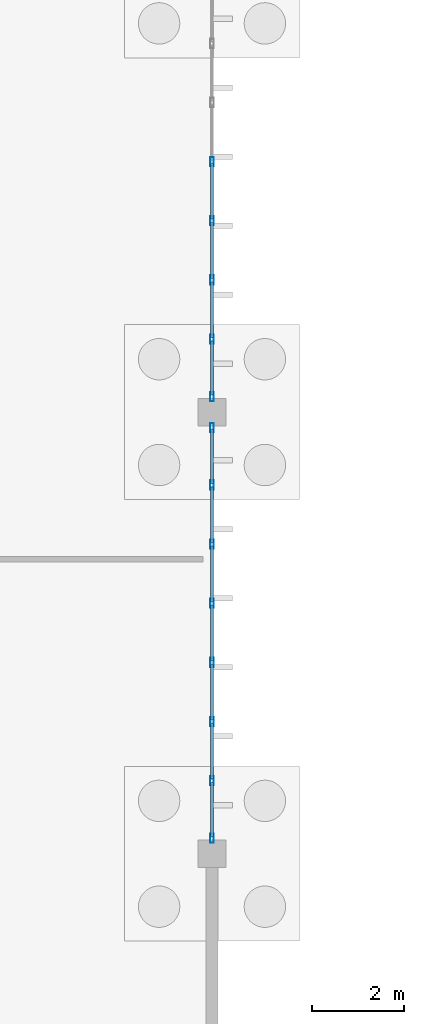
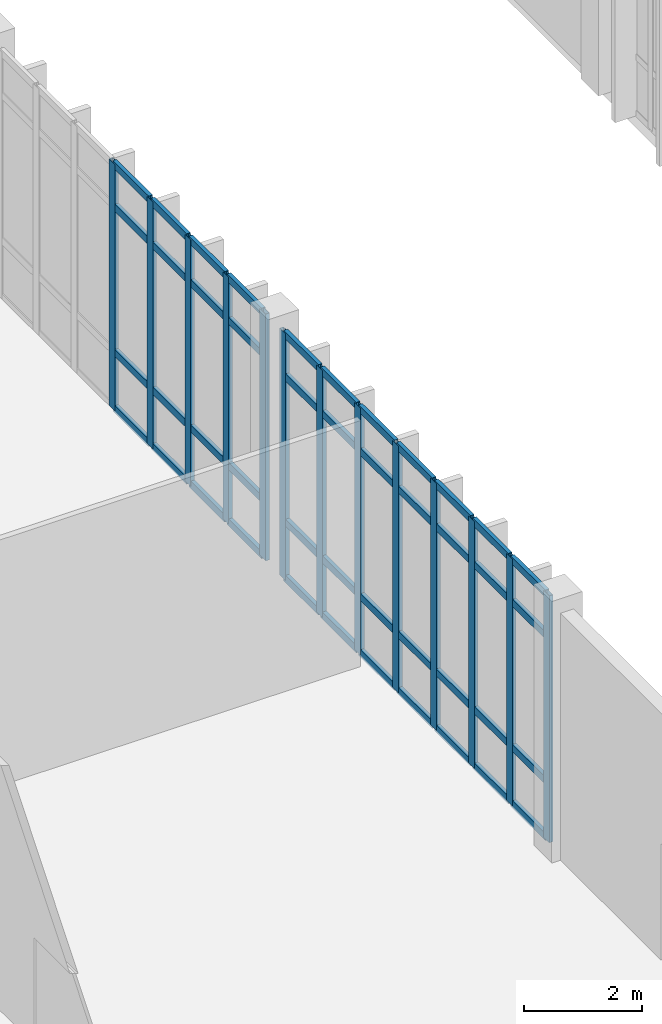
# One storey, part 102 of 188: 57 members, 2 elements without a shape of their own.
"""IFC4 building model written with IfcOpenShell, lengths in metres."""

from ifc_helpers import new_model, si_unit, direction, frame, origin, origin_2d, place, context, subcontext, project, spatial, hollow_rectangle, extrude, material, layer, layer_set, material_profile, profile_set, type_object, element, aggregate, save


model = new_model("IFC4")

# Units and contexts
model_context = context("Model", 3, precision=1e-05, world=origin(), true_north=direction((0.0, 1.0)))
body_context = subcontext(model_context, "Body", "Model", "MODEL_VIEW")
ifc_project = project(units=[si_unit("LENGTHUNIT", "METRE"), si_unit("AREAUNIT", "SQUARE_METRE"), si_unit("VOLUMEUNIT", "CUBIC_METRE"), si_unit("PLANEANGLEUNIT", "RADIAN"), si_unit("MASSUNIT", "GRAM", prefix="KILO")], contexts=[model_context])

# Site, building, storey
site_placement = place(None, origin())
site = spatial("IfcSite", under=ifc_project, at=site_placement, CompositionType="ELEMENT")
building_placement = place(site_placement, origin())
building = spatial("IfcBuilding", under=site, at=building_placement, Name="Pandanus Reach Market Hall", CompositionType="ELEMENT")
storey_placement = place(building_placement, origin())
storey = spatial("IfcBuildingStorey", under=building, at=storey_placement, Name="L00", CompositionType="ELEMENT", Elevation=0.0)

# Curtain wall, members
ifc_material_1 = material(Name="Bronze anodised aluminium and low-E glass", Category="aluminium")
ifc_layer = layer(ifc_material_1, 0.199951171875, Name="CW-06")
ifc_layer_set = layer_set([ifc_layer], Name="Bronze anodised aluminium and low-E glass")
curtain_wall_type = type_object("IfcCurtainWallType", Name="CW-06", PredefinedType="NOTDEFINED", material=ifc_layer_set)
curtain_wall_1_placement = place(storey_placement, origin())
curtain_wall_1 = element("IfcCurtainWall", 1, at=curtain_wall_1_placement, inside=storey, type_object=curtain_wall_type, Name="Glazed curtain wall CW-06 CW-0026", PredefinedType="NOTDEFINED")
ifc_material_2 = material(Name="Bronze anodised aluminium", Category="aluminium")
ifc_material_profile_1 = material_profile(ifc_material_2, hollow_rectangle(XDim=0.074951171875, YDim=0.199951171875, WallThickness=0.00439453125, at=origin_2d()), Name="ALU75x200", Category="LoadBearing")
ifc_profile_set_1 = profile_set([ifc_material_profile_1], Name="Bronze anodised aluminium")
member_type_1 = type_object("IfcMemberType", Name="CW-M2", PredefinedType="MULLION", material=ifc_profile_set_1)
member_1_placement = place(storey_placement, frame((132.0, 48.33740234375, 0.0), z_axis=(0.0, 0.0, 1.0), x_axis=(-1.0, 0.0, 0.0)))
member_1 = element("IfcMember", 2, at=member_1_placement, type_object=member_type_1, Name="CW-06 mullion 1", PredefinedType="MULLION", context=body_context, shape_type="SweptSolid", body=[
    extrude(hollow_rectangle(XDim=0.074951171875, YDim=0.199951171875, WallThickness=0.00439453125, at=origin_2d()), origin(), (0.0, 0.0, 1.0), 5.10009765625),
])
member_2_placement = place(storey_placement, frame((132.0, 49.585693359375, 0.0), z_axis=(0.0, 0.0, 1.0), x_axis=(-1.0, 0.0, 0.0)))
member_2 = element("IfcMember", 3, at=member_2_placement, type_object=member_type_1, Name="CW-06 mullion 2", PredefinedType="MULLION", context=body_context, shape_type="SweptSolid", body=[
    extrude(hollow_rectangle(XDim=0.074951171875, YDim=0.199951171875, WallThickness=0.00439453125, at=origin_2d()), origin(), (0.0, 0.0, 1.0), 5.10009765625),
])
member_3_placement = place(storey_placement, frame((132.0, 50.871337890625, 0.0), z_axis=(0.0, 0.0, 1.0), x_axis=(-1.0, 0.0, 0.0)))
member_3 = element("IfcMember", 4, at=member_3_placement, type_object=member_type_1, Name="CW-06 mullion 3", PredefinedType="MULLION", context=body_context, shape_type="SweptSolid", body=[
    extrude(hollow_rectangle(XDim=0.074951171875, YDim=0.199951171875, WallThickness=0.00439453125, at=origin_2d()), origin(), (0.0, 0.0, 1.0), 5.10009765625),
])
member_4_placement = place(storey_placement, frame((132.0, 52.1572265625, 0.0), z_axis=(0.0, 0.0, 1.0), x_axis=(-1.0, 0.0, 0.0)))
member_4 = element("IfcMember", 5, at=member_4_placement, type_object=member_type_1, Name="CW-06 mullion 4", PredefinedType="MULLION", context=body_context, shape_type="SweptSolid", body=[
    extrude(hollow_rectangle(XDim=0.074951171875, YDim=0.199951171875, WallThickness=0.00439453125, at=origin_2d()), origin(), (0.0, 0.0, 1.0), 5.10009765625),
])
member_5_placement = place(storey_placement, frame((132.0, 53.44287109375, 0.0), z_axis=(0.0, 0.0, 1.0), x_axis=(-1.0, 0.0, 0.0)))
member_5 = element("IfcMember", 6, at=member_5_placement, type_object=member_type_1, Name="CW-06 mullion 5", PredefinedType="MULLION", context=body_context, shape_type="SweptSolid", body=[
    extrude(hollow_rectangle(XDim=0.074951171875, YDim=0.199951171875, WallThickness=0.00439453125, at=origin_2d()), origin(), (0.0, 0.0, 1.0), 5.10009765625),
])
member_6_placement = place(storey_placement, frame((132.0, 54.728515625, 0.0), z_axis=(0.0, 0.0, 1.0), x_axis=(-1.0, 0.0, 0.0)))
member_6 = element("IfcMember", 7, at=member_6_placement, type_object=member_type_1, Name="CW-06 mullion 6", PredefinedType="MULLION", context=body_context, shape_type="SweptSolid", body=[
    extrude(hollow_rectangle(XDim=0.074951171875, YDim=0.199951171875, WallThickness=0.00439453125, at=origin_2d()), origin(), (0.0, 0.0, 1.0), 5.10009765625),
])
member_7_placement = place(storey_placement, frame((132.0, 56.014404296875, 0.0), z_axis=(0.0, 0.0, 1.0), x_axis=(-1.0, 0.0, 0.0)))
member_7 = element("IfcMember", 8, at=member_7_placement, type_object=member_type_1, Name="CW-06 mullion 7", PredefinedType="MULLION", context=body_context, shape_type="SweptSolid", body=[
    extrude(hollow_rectangle(XDim=0.074951171875, YDim=0.199951171875, WallThickness=0.00439453125, at=origin_2d()), origin(), (0.0, 0.0, 1.0), 5.10009765625),
])
member_8_placement = place(storey_placement, frame((132.0, 57.262451171875, 0.0), z_axis=(0.0, 0.0, 1.0), x_axis=(-1.0, 0.0, 0.0)))
member_8 = element("IfcMember", 9, at=member_8_placement, type_object=member_type_1, Name="CW-06 mullion 8", PredefinedType="MULLION", context=body_context, shape_type="SweptSolid", body=[
    extrude(hollow_rectangle(XDim=0.074951171875, YDim=0.199951171875, WallThickness=0.00439453125, at=origin_2d()), origin(), (0.0, 0.0, 1.0), 5.10009765625),
])

curtain_wall_2_placement = place(storey_placement, origin())
curtain_wall_2 = element("IfcCurtainWall", 10, at=curtain_wall_2_placement, inside=storey, type_object=curtain_wall_type, Name="Glazed curtain wall CW-06 CW-0030", PredefinedType="NOTDEFINED")
member_9_placement = place(storey_placement, frame((132.0, 57.9375, 0.0), z_axis=(0.0, 0.0, 1.0), x_axis=(-1.0, 0.0, 0.0)))
member_9 = element("IfcMember", 11, at=member_9_placement, type_object=member_type_1, Name="CW-06 mullion 1", PredefinedType="MULLION", context=body_context, shape_type="SweptSolid", body=[
    extrude(hollow_rectangle(XDim=0.074951171875, YDim=0.199951171875, WallThickness=0.00439453125, at=origin_2d()), origin(), (0.0, 0.0, 1.0), 5.10009765625),
])
member_10_placement = place(storey_placement, frame((132.0, 59.185791015625, 0.0), z_axis=(0.0, 0.0, 1.0), x_axis=(-1.0, 0.0, 0.0)))
member_10 = element("IfcMember", 12, at=member_10_placement, type_object=member_type_1, Name="CW-06 mullion 2", PredefinedType="MULLION", context=body_context, shape_type="SweptSolid", body=[
    extrude(hollow_rectangle(XDim=0.074951171875, YDim=0.199951171875, WallThickness=0.00439453125, at=origin_2d()), origin(), (0.0, 0.0, 1.0), 5.10009765625),
])
member_11_placement = place(storey_placement, frame((132.0, 60.471435546875, 0.0), z_axis=(0.0, 0.0, 1.0), x_axis=(-1.0, 0.0, 0.0)))
member_11 = element("IfcMember", 13, at=member_11_placement, type_object=member_type_1, Name="CW-06 mullion 3", PredefinedType="MULLION", context=body_context, shape_type="SweptSolid", body=[
    extrude(hollow_rectangle(XDim=0.074951171875, YDim=0.199951171875, WallThickness=0.00439453125, at=origin_2d()), origin(), (0.0, 0.0, 1.0), 5.10009765625),
])
member_12_placement = place(storey_placement, frame((132.0, 61.757080078125, 0.0), z_axis=(0.0, 0.0, 1.0), x_axis=(-1.0, 0.0, 0.0)))
member_12 = element("IfcMember", 14, at=member_12_placement, type_object=member_type_1, Name="CW-06 mullion 4", PredefinedType="MULLION", context=body_context, shape_type="SweptSolid", body=[
    extrude(hollow_rectangle(XDim=0.074951171875, YDim=0.199951171875, WallThickness=0.00439453125, at=origin_2d()), origin(), (0.0, 0.0, 1.0), 5.10009765625),
])
member_13_placement = place(storey_placement, frame((132.0, 63.04296875, 0.0), z_axis=(0.0, 0.0, 1.0), x_axis=(-1.0, 0.0, 0.0)))
member_13 = element("IfcMember", 15, at=member_13_placement, type_object=member_type_1, Name="CW-06 mullion 5", PredefinedType="MULLION", context=body_context, shape_type="SweptSolid", body=[
    extrude(hollow_rectangle(XDim=0.074951171875, YDim=0.199951171875, WallThickness=0.00439453125, at=origin_2d()), origin(), (0.0, 0.0, 1.0), 5.10009765625),
])

# Member
ifc_material_profile_2 = material_profile(ifc_material_2, hollow_rectangle(XDim=0.074951171875, YDim=0.14990234375, WallThickness=0.00439453125, at=origin_2d()), Name="ALU75x150", Category="LoadBearing")
ifc_profile_set_2 = profile_set([ifc_material_profile_2], Name="Bronze anodised aluminium")
member_type_2 = type_object("IfcMemberType", Name="CW-T2", PredefinedType="USERDEFINED", material=ifc_profile_set_2)
member_14_placement = place(storey_placement, frame((132.0, 48.375, 0.03759765625), z_axis=(0.0, 1.0, 0.0), x_axis=(-1.0, 0.0, 0.0)))
member_14 = element("IfcMember", 16, at=member_14_placement, type_object=member_type_2, Name="CW-06 transom 1.1", ObjectType="TRANSOM", PredefinedType="USERDEFINED", context=body_context, shape_type="SweptSolid", body=[
    extrude(hollow_rectangle(XDim=0.074951171875, YDim=0.14990234375, WallThickness=0.00439453125, at=origin_2d()), origin(), (0.0, 0.0, 1.0), 1.173095703125),
])

member_15_placement = place(storey_placement, frame((132.0, 48.375, 1.199951171875), z_axis=(0.0, 1.0, 0.0), x_axis=(-1.0, 0.0, 0.0)))
member_15 = element("IfcMember", 17, at=member_15_placement, type_object=member_type_2, Name="CW-06 transom 1.2", ObjectType="TRANSOM", PredefinedType="USERDEFINED", context=body_context, shape_type="SweptSolid", body=[
    extrude(hollow_rectangle(XDim=0.074951171875, YDim=0.14990234375, WallThickness=0.00439453125, at=origin_2d()), origin(), (0.0, 0.0, 1.0), 1.173095703125),
])

member_16_placement = place(storey_placement, frame((132.0, 48.375, 4.199951171875), z_axis=(0.0, 1.0, 0.0), x_axis=(-1.0, 0.0, 0.0)))
member_16 = element("IfcMember", 18, at=member_16_placement, type_object=member_type_2, Name="CW-06 transom 1.3", ObjectType="TRANSOM", PredefinedType="USERDEFINED", context=body_context, shape_type="SweptSolid", body=[
    extrude(hollow_rectangle(XDim=0.074951171875, YDim=0.14990234375, WallThickness=0.00439453125, at=origin_2d()), origin(), (0.0, 0.0, 1.0), 1.173095703125),
])

member_17_placement = place(storey_placement, frame((132.0, 48.375, 5.0625), z_axis=(0.0, 1.0, 0.0), x_axis=(-1.0, 0.0, 0.0)))
member_17 = element("IfcMember", 19, at=member_17_placement, type_object=member_type_2, Name="CW-06 transom 1.4", ObjectType="TRANSOM", PredefinedType="USERDEFINED", context=body_context, shape_type="SweptSolid", body=[
    extrude(hollow_rectangle(XDim=0.074951171875, YDim=0.14990234375, WallThickness=0.00439453125, at=origin_2d()), origin(), (0.0, 0.0, 1.0), 1.173095703125),
])

member_18_placement = place(storey_placement, frame((132.0, 49.623291015625, 0.03759765625), z_axis=(0.0, 1.0, 0.0), x_axis=(-1.0, 0.0, 0.0)))
member_18 = element("IfcMember", 20, at=member_18_placement, type_object=member_type_2, Name="CW-06 transom 2.1", ObjectType="TRANSOM", PredefinedType="USERDEFINED", context=body_context, shape_type="SweptSolid", body=[
    extrude(hollow_rectangle(XDim=0.074951171875, YDim=0.14990234375, WallThickness=0.00439453125, at=origin_2d()), origin(), (0.0, 0.0, 1.0), 1.210693359375),
])

member_19_placement = place(storey_placement, frame((132.0, 49.623291015625, 1.199951171875), z_axis=(0.0, 1.0, 0.0), x_axis=(-1.0, 0.0, 0.0)))
member_19 = element("IfcMember", 21, at=member_19_placement, type_object=member_type_2, Name="CW-06 transom 2.2", ObjectType="TRANSOM", PredefinedType="USERDEFINED", context=body_context, shape_type="SweptSolid", body=[
    extrude(hollow_rectangle(XDim=0.074951171875, YDim=0.14990234375, WallThickness=0.00439453125, at=origin_2d()), origin(), (0.0, 0.0, 1.0), 1.210693359375),
])

member_20_placement = place(storey_placement, frame((132.0, 49.623291015625, 4.199951171875), z_axis=(0.0, 1.0, 0.0), x_axis=(-1.0, 0.0, 0.0)))
member_20 = element("IfcMember", 22, at=member_20_placement, type_object=member_type_2, Name="CW-06 transom 2.3", ObjectType="TRANSOM", PredefinedType="USERDEFINED", context=body_context, shape_type="SweptSolid", body=[
    extrude(hollow_rectangle(XDim=0.074951171875, YDim=0.14990234375, WallThickness=0.00439453125, at=origin_2d()), origin(), (0.0, 0.0, 1.0), 1.210693359375),
])

member_21_placement = place(storey_placement, frame((132.0, 49.623291015625, 5.0625), z_axis=(0.0, 1.0, 0.0), x_axis=(-1.0, 0.0, 0.0)))
member_21 = element("IfcMember", 23, at=member_21_placement, type_object=member_type_2, Name="CW-06 transom 2.4", ObjectType="TRANSOM", PredefinedType="USERDEFINED", context=body_context, shape_type="SweptSolid", body=[
    extrude(hollow_rectangle(XDim=0.074951171875, YDim=0.14990234375, WallThickness=0.00439453125, at=origin_2d()), origin(), (0.0, 0.0, 1.0), 1.210693359375),
])

member_22_placement = place(storey_placement, frame((132.0, 50.908935546875, 0.03759765625), z_axis=(0.0, 1.0, 0.0), x_axis=(-1.0, 0.0, 0.0)))
member_22 = element("IfcMember", 24, at=member_22_placement, type_object=member_type_2, Name="CW-06 transom 3.1", ObjectType="TRANSOM", PredefinedType="USERDEFINED", context=body_context, shape_type="SweptSolid", body=[
    extrude(hollow_rectangle(XDim=0.074951171875, YDim=0.14990234375, WallThickness=0.00439453125, at=origin_2d()), origin(), (0.0, 0.0, 1.0), 1.210693359375),
])

member_23_placement = place(storey_placement, frame((132.0, 50.908935546875, 1.199951171875), z_axis=(0.0, 1.0, 0.0), x_axis=(-1.0, 0.0, 0.0)))
member_23 = element("IfcMember", 25, at=member_23_placement, type_object=member_type_2, Name="CW-06 transom 3.2", ObjectType="TRANSOM", PredefinedType="USERDEFINED", context=body_context, shape_type="SweptSolid", body=[
    extrude(hollow_rectangle(XDim=0.074951171875, YDim=0.14990234375, WallThickness=0.00439453125, at=origin_2d()), origin(), (0.0, 0.0, 1.0), 1.210693359375),
])

member_24_placement = place(storey_placement, frame((132.0, 50.908935546875, 4.199951171875), z_axis=(0.0, 1.0, 0.0), x_axis=(-1.0, 0.0, 0.0)))
member_24 = element("IfcMember", 26, at=member_24_placement, type_object=member_type_2, Name="CW-06 transom 3.3", ObjectType="TRANSOM", PredefinedType="USERDEFINED", context=body_context, shape_type="SweptSolid", body=[
    extrude(hollow_rectangle(XDim=0.074951171875, YDim=0.14990234375, WallThickness=0.00439453125, at=origin_2d()), origin(), (0.0, 0.0, 1.0), 1.210693359375),
])

member_25_placement = place(storey_placement, frame((132.0, 50.908935546875, 5.0625), z_axis=(0.0, 1.0, 0.0), x_axis=(-1.0, 0.0, 0.0)))
member_25 = element("IfcMember", 27, at=member_25_placement, type_object=member_type_2, Name="CW-06 transom 3.4", ObjectType="TRANSOM", PredefinedType="USERDEFINED", context=body_context, shape_type="SweptSolid", body=[
    extrude(hollow_rectangle(XDim=0.074951171875, YDim=0.14990234375, WallThickness=0.00439453125, at=origin_2d()), origin(), (0.0, 0.0, 1.0), 1.210693359375),
])

member_26_placement = place(storey_placement, frame((132.0, 52.194580078125, 0.03759765625), z_axis=(0.0, 1.0, 0.0), x_axis=(-1.0, 0.0, 0.0)))
member_26 = element("IfcMember", 28, at=member_26_placement, type_object=member_type_2, Name="CW-06 transom 4.1", ObjectType="TRANSOM", PredefinedType="USERDEFINED", context=body_context, shape_type="SweptSolid", body=[
    extrude(hollow_rectangle(XDim=0.074951171875, YDim=0.14990234375, WallThickness=0.00439453125, at=origin_2d()), origin(), (0.0, 0.0, 1.0), 1.210693359375),
])

member_27_placement = place(storey_placement, frame((132.0, 52.194580078125, 1.199951171875), z_axis=(0.0, 1.0, 0.0), x_axis=(-1.0, 0.0, 0.0)))
member_27 = element("IfcMember", 29, at=member_27_placement, type_object=member_type_2, Name="CW-06 transom 4.2", ObjectType="TRANSOM", PredefinedType="USERDEFINED", context=body_context, shape_type="SweptSolid", body=[
    extrude(hollow_rectangle(XDim=0.074951171875, YDim=0.14990234375, WallThickness=0.00439453125, at=origin_2d()), origin(), (0.0, 0.0, 1.0), 1.210693359375),
])

member_28_placement = place(storey_placement, frame((132.0, 52.194580078125, 4.199951171875), z_axis=(0.0, 1.0, 0.0), x_axis=(-1.0, 0.0, 0.0)))
member_28 = element("IfcMember", 30, at=member_28_placement, type_object=member_type_2, Name="CW-06 transom 4.3", ObjectType="TRANSOM", PredefinedType="USERDEFINED", context=body_context, shape_type="SweptSolid", body=[
    extrude(hollow_rectangle(XDim=0.074951171875, YDim=0.14990234375, WallThickness=0.00439453125, at=origin_2d()), origin(), (0.0, 0.0, 1.0), 1.210693359375),
])

member_29_placement = place(storey_placement, frame((132.0, 52.194580078125, 5.0625), z_axis=(0.0, 1.0, 0.0), x_axis=(-1.0, 0.0, 0.0)))
member_29 = element("IfcMember", 31, at=member_29_placement, type_object=member_type_2, Name="CW-06 transom 4.4", ObjectType="TRANSOM", PredefinedType="USERDEFINED", context=body_context, shape_type="SweptSolid", body=[
    extrude(hollow_rectangle(XDim=0.074951171875, YDim=0.14990234375, WallThickness=0.00439453125, at=origin_2d()), origin(), (0.0, 0.0, 1.0), 1.210693359375),
])

member_30_placement = place(storey_placement, frame((132.0, 53.48046875, 0.03759765625), z_axis=(0.0, 1.0, 0.0), x_axis=(-1.0, 0.0, 0.0)))
member_30 = element("IfcMember", 32, at=member_30_placement, type_object=member_type_2, Name="CW-06 transom 5.1", ObjectType="TRANSOM", PredefinedType="USERDEFINED", context=body_context, shape_type="SweptSolid", body=[
    extrude(hollow_rectangle(XDim=0.074951171875, YDim=0.14990234375, WallThickness=0.00439453125, at=origin_2d()), origin(), (0.0, 0.0, 1.0), 1.210693359375),
])

member_31_placement = place(storey_placement, frame((132.0, 53.48046875, 1.199951171875), z_axis=(0.0, 1.0, 0.0), x_axis=(-1.0, 0.0, 0.0)))
member_31 = element("IfcMember", 33, at=member_31_placement, type_object=member_type_2, Name="CW-06 transom 5.2", ObjectType="TRANSOM", PredefinedType="USERDEFINED", context=body_context, shape_type="SweptSolid", body=[
    extrude(hollow_rectangle(XDim=0.074951171875, YDim=0.14990234375, WallThickness=0.00439453125, at=origin_2d()), origin(), (0.0, 0.0, 1.0), 1.210693359375),
])

member_32_placement = place(storey_placement, frame((132.0, 53.48046875, 4.199951171875), z_axis=(0.0, 1.0, 0.0), x_axis=(-1.0, 0.0, 0.0)))
member_32 = element("IfcMember", 34, at=member_32_placement, type_object=member_type_2, Name="CW-06 transom 5.3", ObjectType="TRANSOM", PredefinedType="USERDEFINED", context=body_context, shape_type="SweptSolid", body=[
    extrude(hollow_rectangle(XDim=0.074951171875, YDim=0.14990234375, WallThickness=0.00439453125, at=origin_2d()), origin(), (0.0, 0.0, 1.0), 1.210693359375),
])

member_33_placement = place(storey_placement, frame((132.0, 53.48046875, 5.0625), z_axis=(0.0, 1.0, 0.0), x_axis=(-1.0, 0.0, 0.0)))
member_33 = element("IfcMember", 35, at=member_33_placement, type_object=member_type_2, Name="CW-06 transom 5.4", ObjectType="TRANSOM", PredefinedType="USERDEFINED", context=body_context, shape_type="SweptSolid", body=[
    extrude(hollow_rectangle(XDim=0.074951171875, YDim=0.14990234375, WallThickness=0.00439453125, at=origin_2d()), origin(), (0.0, 0.0, 1.0), 1.210693359375),
])

member_34_placement = place(storey_placement, frame((132.0, 54.76611328125, 0.03759765625), z_axis=(0.0, 1.0, 0.0), x_axis=(-1.0, 0.0, 0.0)))
member_34 = element("IfcMember", 36, at=member_34_placement, type_object=member_type_2, Name="CW-06 transom 6.1", ObjectType="TRANSOM", PredefinedType="USERDEFINED", context=body_context, shape_type="SweptSolid", body=[
    extrude(hollow_rectangle(XDim=0.074951171875, YDim=0.14990234375, WallThickness=0.00439453125, at=origin_2d()), origin(), (0.0, 0.0, 1.0), 1.210693359375),
])

member_35_placement = place(storey_placement, frame((132.0, 54.76611328125, 1.199951171875), z_axis=(0.0, 1.0, 0.0), x_axis=(-1.0, 0.0, 0.0)))
member_35 = element("IfcMember", 37, at=member_35_placement, type_object=member_type_2, Name="CW-06 transom 6.2", ObjectType="TRANSOM", PredefinedType="USERDEFINED", context=body_context, shape_type="SweptSolid", body=[
    extrude(hollow_rectangle(XDim=0.074951171875, YDim=0.14990234375, WallThickness=0.00439453125, at=origin_2d()), origin(), (0.0, 0.0, 1.0), 1.210693359375),
])

member_36_placement = place(storey_placement, frame((132.0, 54.76611328125, 4.199951171875), z_axis=(0.0, 1.0, 0.0), x_axis=(-1.0, 0.0, 0.0)))
member_36 = element("IfcMember", 38, at=member_36_placement, type_object=member_type_2, Name="CW-06 transom 6.3", ObjectType="TRANSOM", PredefinedType="USERDEFINED", context=body_context, shape_type="SweptSolid", body=[
    extrude(hollow_rectangle(XDim=0.074951171875, YDim=0.14990234375, WallThickness=0.00439453125, at=origin_2d()), origin(), (0.0, 0.0, 1.0), 1.210693359375),
])

member_37_placement = place(storey_placement, frame((132.0, 54.76611328125, 5.0625), z_axis=(0.0, 1.0, 0.0), x_axis=(-1.0, 0.0, 0.0)))
member_37 = element("IfcMember", 39, at=member_37_placement, type_object=member_type_2, Name="CW-06 transom 6.4", ObjectType="TRANSOM", PredefinedType="USERDEFINED", context=body_context, shape_type="SweptSolid", body=[
    extrude(hollow_rectangle(XDim=0.074951171875, YDim=0.14990234375, WallThickness=0.00439453125, at=origin_2d()), origin(), (0.0, 0.0, 1.0), 1.210693359375),
])

member_38_placement = place(storey_placement, frame((132.0, 56.0517578125, 0.03759765625), z_axis=(0.0, 1.0, 0.0), x_axis=(-1.0, 0.0, 0.0)))
member_38 = element("IfcMember", 40, at=member_38_placement, type_object=member_type_2, Name="CW-06 transom 7.1", ObjectType="TRANSOM", PredefinedType="USERDEFINED", context=body_context, shape_type="SweptSolid", body=[
    extrude(hollow_rectangle(XDim=0.074951171875, YDim=0.14990234375, WallThickness=0.00439453125, at=origin_2d()), origin(), (0.0, 0.0, 1.0), 1.17333984375),
])

member_39_placement = place(storey_placement, frame((132.0, 56.0517578125, 1.199951171875), z_axis=(0.0, 1.0, 0.0), x_axis=(-1.0, 0.0, 0.0)))
member_39 = element("IfcMember", 41, at=member_39_placement, type_object=member_type_2, Name="CW-06 transom 7.2", ObjectType="TRANSOM", PredefinedType="USERDEFINED", context=body_context, shape_type="SweptSolid", body=[
    extrude(hollow_rectangle(XDim=0.074951171875, YDim=0.14990234375, WallThickness=0.00439453125, at=origin_2d()), origin(), (0.0, 0.0, 1.0), 1.17333984375),
])

member_40_placement = place(storey_placement, frame((132.0, 56.0517578125, 4.199951171875), z_axis=(0.0, 1.0, 0.0), x_axis=(-1.0, 0.0, 0.0)))
member_40 = element("IfcMember", 42, at=member_40_placement, type_object=member_type_2, Name="CW-06 transom 7.3", ObjectType="TRANSOM", PredefinedType="USERDEFINED", context=body_context, shape_type="SweptSolid", body=[
    extrude(hollow_rectangle(XDim=0.074951171875, YDim=0.14990234375, WallThickness=0.00439453125, at=origin_2d()), origin(), (0.0, 0.0, 1.0), 1.17333984375),
])

member_41_placement = place(storey_placement, frame((132.0, 56.0517578125, 5.0625), z_axis=(0.0, 1.0, 0.0), x_axis=(-1.0, 0.0, 0.0)))
member_41 = element("IfcMember", 43, at=member_41_placement, type_object=member_type_2, Name="CW-06 transom 7.4", ObjectType="TRANSOM", PredefinedType="USERDEFINED", context=body_context, shape_type="SweptSolid", body=[
    extrude(hollow_rectangle(XDim=0.074951171875, YDim=0.14990234375, WallThickness=0.00439453125, at=origin_2d()), origin(), (0.0, 0.0, 1.0), 1.17333984375),
])

aggregate(curtain_wall_1, [member_1, member_2, member_3, member_4, member_5, member_6, member_7, member_8, member_14, member_15, member_16, member_17, member_18, member_19, member_20, member_21, member_22, member_23, member_24, member_25, member_26, member_27, member_28, member_29, member_30, member_31, member_32, member_33, member_34, member_35, member_36, member_37, member_38, member_39, member_40, member_41])

member_42_placement = place(storey_placement, frame((132.0, 57.97509765625, 0.03759765625), z_axis=(0.0, 1.0, 0.0), x_axis=(-1.0, 0.0, 0.0)))
member_42 = element("IfcMember", 44, at=member_42_placement, type_object=member_type_2, Name="CW-06 transom 1.1", ObjectType="TRANSOM", PredefinedType="USERDEFINED", context=body_context, shape_type="SweptSolid", body=[
    extrude(hollow_rectangle(XDim=0.074951171875, YDim=0.14990234375, WallThickness=0.00439453125, at=origin_2d()), origin(), (0.0, 0.0, 1.0), 1.173095703125),
])

member_43_placement = place(storey_placement, frame((132.0, 57.97509765625, 1.199951171875), z_axis=(0.0, 1.0, 0.0), x_axis=(-1.0, 0.0, 0.0)))
member_43 = element("IfcMember", 45, at=member_43_placement, type_object=member_type_2, Name="CW-06 transom 1.2", ObjectType="TRANSOM", PredefinedType="USERDEFINED", context=body_context, shape_type="SweptSolid", body=[
    extrude(hollow_rectangle(XDim=0.074951171875, YDim=0.14990234375, WallThickness=0.00439453125, at=origin_2d()), origin(), (0.0, 0.0, 1.0), 1.173095703125),
])

member_44_placement = place(storey_placement, frame((132.0, 57.97509765625, 4.199951171875), z_axis=(0.0, 1.0, 0.0), x_axis=(-1.0, 0.0, 0.0)))
member_44 = element("IfcMember", 46, at=member_44_placement, type_object=member_type_2, Name="CW-06 transom 1.3", ObjectType="TRANSOM", PredefinedType="USERDEFINED", context=body_context, shape_type="SweptSolid", body=[
    extrude(hollow_rectangle(XDim=0.074951171875, YDim=0.14990234375, WallThickness=0.00439453125, at=origin_2d()), origin(), (0.0, 0.0, 1.0), 1.173095703125),
])

member_45_placement = place(storey_placement, frame((132.0, 57.97509765625, 5.0625), z_axis=(0.0, 1.0, 0.0), x_axis=(-1.0, 0.0, 0.0)))
member_45 = element("IfcMember", 47, at=member_45_placement, type_object=member_type_2, Name="CW-06 transom 1.4", ObjectType="TRANSOM", PredefinedType="USERDEFINED", context=body_context, shape_type="SweptSolid", body=[
    extrude(hollow_rectangle(XDim=0.074951171875, YDim=0.14990234375, WallThickness=0.00439453125, at=origin_2d()), origin(), (0.0, 0.0, 1.0), 1.173095703125),
])

member_46_placement = place(storey_placement, frame((132.0, 59.22314453125, 0.03759765625), z_axis=(0.0, 1.0, 0.0), x_axis=(-1.0, 0.0, 0.0)))
member_46 = element("IfcMember", 48, at=member_46_placement, type_object=member_type_2, Name="CW-06 transom 2.1", ObjectType="TRANSOM", PredefinedType="USERDEFINED", context=body_context, shape_type="SweptSolid", body=[
    extrude(hollow_rectangle(XDim=0.074951171875, YDim=0.14990234375, WallThickness=0.00439453125, at=origin_2d()), origin(), (0.0, 0.0, 1.0), 1.210693359375),
])

member_47_placement = place(storey_placement, frame((132.0, 59.22314453125, 1.199951171875), z_axis=(0.0, 1.0, 0.0), x_axis=(-1.0, 0.0, 0.0)))
member_47 = element("IfcMember", 49, at=member_47_placement, type_object=member_type_2, Name="CW-06 transom 2.2", ObjectType="TRANSOM", PredefinedType="USERDEFINED", context=body_context, shape_type="SweptSolid", body=[
    extrude(hollow_rectangle(XDim=0.074951171875, YDim=0.14990234375, WallThickness=0.00439453125, at=origin_2d()), origin(), (0.0, 0.0, 1.0), 1.210693359375),
])

member_48_placement = place(storey_placement, frame((132.0, 59.22314453125, 4.199951171875), z_axis=(0.0, 1.0, 0.0), x_axis=(-1.0, 0.0, 0.0)))
member_48 = element("IfcMember", 50, at=member_48_placement, type_object=member_type_2, Name="CW-06 transom 2.3", ObjectType="TRANSOM", PredefinedType="USERDEFINED", context=body_context, shape_type="SweptSolid", body=[
    extrude(hollow_rectangle(XDim=0.074951171875, YDim=0.14990234375, WallThickness=0.00439453125, at=origin_2d()), origin(), (0.0, 0.0, 1.0), 1.210693359375),
])

member_49_placement = place(storey_placement, frame((132.0, 59.22314453125, 5.0625), z_axis=(0.0, 1.0, 0.0), x_axis=(-1.0, 0.0, 0.0)))
member_49 = element("IfcMember", 51, at=member_49_placement, type_object=member_type_2, Name="CW-06 transom 2.4", ObjectType="TRANSOM", PredefinedType="USERDEFINED", context=body_context, shape_type="SweptSolid", body=[
    extrude(hollow_rectangle(XDim=0.074951171875, YDim=0.14990234375, WallThickness=0.00439453125, at=origin_2d()), origin(), (0.0, 0.0, 1.0), 1.210693359375),
])

member_50_placement = place(storey_placement, frame((132.0, 60.509033203125, 0.03759765625), z_axis=(0.0, 1.0, 0.0), x_axis=(-1.0, 0.0, 0.0)))
member_50 = element("IfcMember", 52, at=member_50_placement, type_object=member_type_2, Name="CW-06 transom 3.1", ObjectType="TRANSOM", PredefinedType="USERDEFINED", context=body_context, shape_type="SweptSolid", body=[
    extrude(hollow_rectangle(XDim=0.074951171875, YDim=0.14990234375, WallThickness=0.00439453125, at=origin_2d()), origin(), (0.0, 0.0, 1.0), 1.210693359375),
])

member_51_placement = place(storey_placement, frame((132.0, 60.509033203125, 1.199951171875), z_axis=(0.0, 1.0, 0.0), x_axis=(-1.0, 0.0, 0.0)))
member_51 = element("IfcMember", 53, at=member_51_placement, type_object=member_type_2, Name="CW-06 transom 3.2", ObjectType="TRANSOM", PredefinedType="USERDEFINED", context=body_context, shape_type="SweptSolid", body=[
    extrude(hollow_rectangle(XDim=0.074951171875, YDim=0.14990234375, WallThickness=0.00439453125, at=origin_2d()), origin(), (0.0, 0.0, 1.0), 1.210693359375),
])

member_52_placement = place(storey_placement, frame((132.0, 60.509033203125, 4.199951171875), z_axis=(0.0, 1.0, 0.0), x_axis=(-1.0, 0.0, 0.0)))
member_52 = element("IfcMember", 54, at=member_52_placement, type_object=member_type_2, Name="CW-06 transom 3.3", ObjectType="TRANSOM", PredefinedType="USERDEFINED", context=body_context, shape_type="SweptSolid", body=[
    extrude(hollow_rectangle(XDim=0.074951171875, YDim=0.14990234375, WallThickness=0.00439453125, at=origin_2d()), origin(), (0.0, 0.0, 1.0), 1.210693359375),
])

member_53_placement = place(storey_placement, frame((132.0, 60.509033203125, 5.0625), z_axis=(0.0, 1.0, 0.0), x_axis=(-1.0, 0.0, 0.0)))
member_53 = element("IfcMember", 55, at=member_53_placement, type_object=member_type_2, Name="CW-06 transom 3.4", ObjectType="TRANSOM", PredefinedType="USERDEFINED", context=body_context, shape_type="SweptSolid", body=[
    extrude(hollow_rectangle(XDim=0.074951171875, YDim=0.14990234375, WallThickness=0.00439453125, at=origin_2d()), origin(), (0.0, 0.0, 1.0), 1.210693359375),
])

member_54_placement = place(storey_placement, frame((132.0, 61.794677734375, 0.03759765625), z_axis=(0.0, 1.0, 0.0), x_axis=(-1.0, 0.0, 0.0)))
member_54 = element("IfcMember", 56, at=member_54_placement, type_object=member_type_2, Name="CW-06 transom 4.1", ObjectType="TRANSOM", PredefinedType="USERDEFINED", context=body_context, shape_type="SweptSolid", body=[
    extrude(hollow_rectangle(XDim=0.074951171875, YDim=0.14990234375, WallThickness=0.00439453125, at=origin_2d()), origin(), (0.0, 0.0, 1.0), 1.210693359375),
])

member_55_placement = place(storey_placement, frame((132.0, 61.794677734375, 1.199951171875), z_axis=(0.0, 1.0, 0.0), x_axis=(-1.0, 0.0, 0.0)))
member_55 = element("IfcMember", 57, at=member_55_placement, type_object=member_type_2, Name="CW-06 transom 4.2", ObjectType="TRANSOM", PredefinedType="USERDEFINED", context=body_context, shape_type="SweptSolid", body=[
    extrude(hollow_rectangle(XDim=0.074951171875, YDim=0.14990234375, WallThickness=0.00439453125, at=origin_2d()), origin(), (0.0, 0.0, 1.0), 1.210693359375),
])

member_56_placement = place(storey_placement, frame((132.0, 61.794677734375, 4.199951171875), z_axis=(0.0, 1.0, 0.0), x_axis=(-1.0, 0.0, 0.0)))
member_56 = element("IfcMember", 58, at=member_56_placement, type_object=member_type_2, Name="CW-06 transom 4.3", ObjectType="TRANSOM", PredefinedType="USERDEFINED", context=body_context, shape_type="SweptSolid", body=[
    extrude(hollow_rectangle(XDim=0.074951171875, YDim=0.14990234375, WallThickness=0.00439453125, at=origin_2d()), origin(), (0.0, 0.0, 1.0), 1.210693359375),
])

member_57_placement = place(storey_placement, frame((132.0, 61.794677734375, 5.0625), z_axis=(0.0, 1.0, 0.0), x_axis=(-1.0, 0.0, 0.0)))
member_57 = element("IfcMember", 59, at=member_57_placement, type_object=member_type_2, Name="CW-06 transom 4.4", ObjectType="TRANSOM", PredefinedType="USERDEFINED", context=body_context, shape_type="SweptSolid", body=[
    extrude(hollow_rectangle(XDim=0.074951171875, YDim=0.14990234375, WallThickness=0.00439453125, at=origin_2d()), origin(), (0.0, 0.0, 1.0), 1.210693359375),
])

aggregate(curtain_wall_2, [member_9, member_10, member_11, member_12, member_13, member_42, member_43, member_44, member_45, member_46, member_47, member_48, member_49, member_50, member_51, member_52, member_53, member_54, member_55, member_56, member_57])

save(model, "model.ifc")
